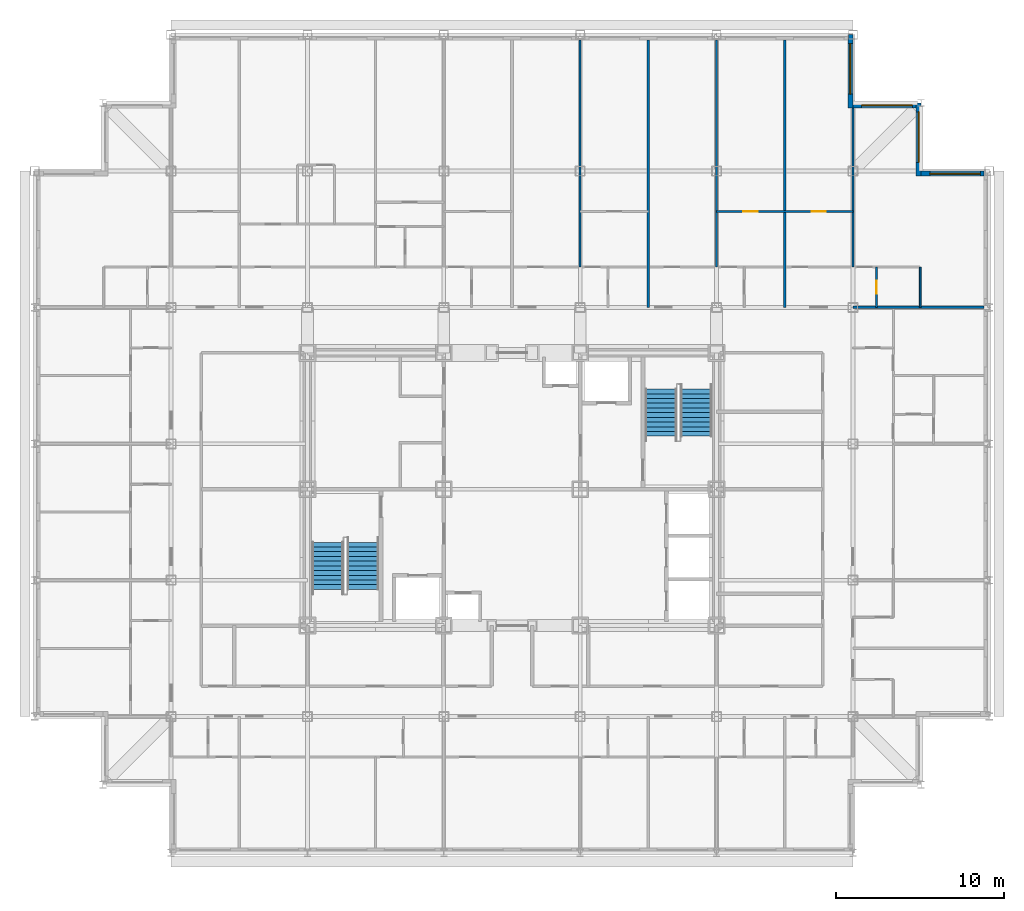
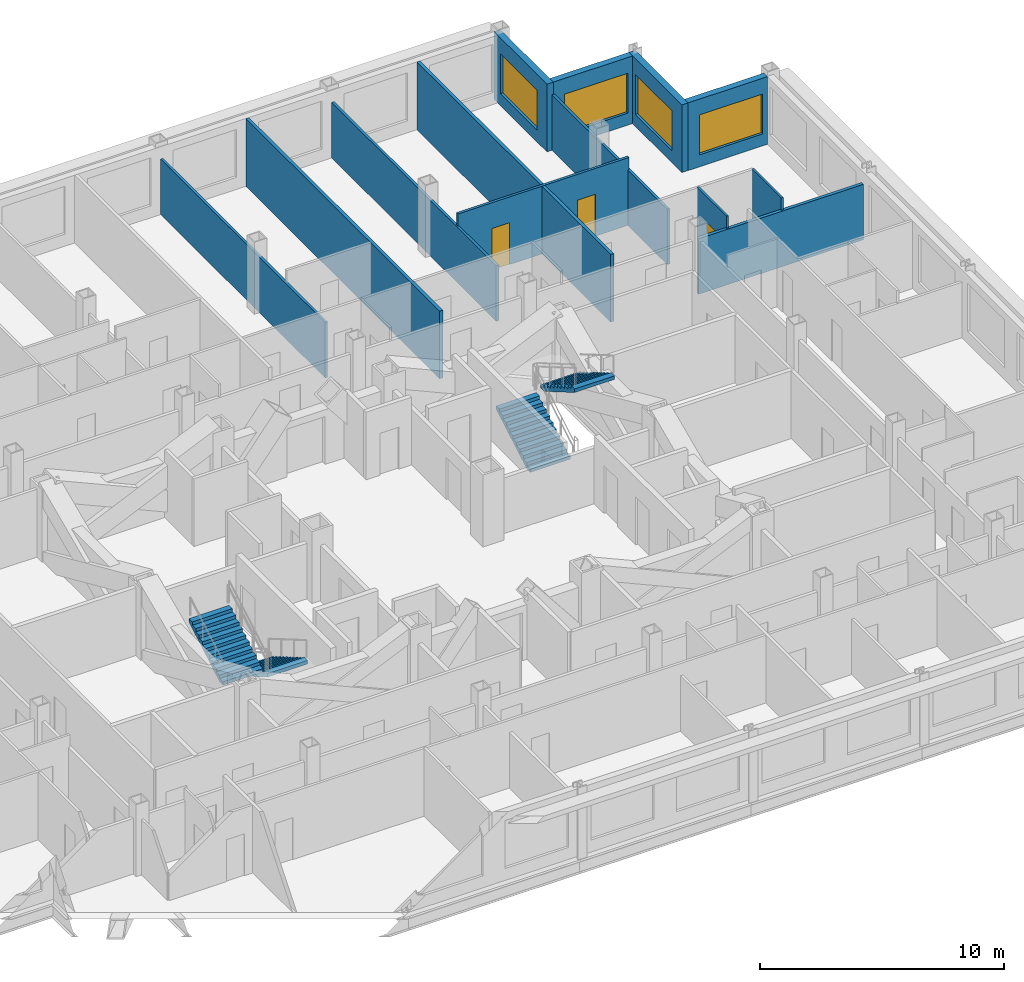
# One storey, part 11 of 12: 13 walls, 4 stair flights, 4 windows, 3 doors, 7 openings, 2 elements without a shape of their own.
"""IFC4 building model written with IfcOpenShell, lengths in metres."""

from ifc_helpers import new_model, si_unit, direction, frame, frame_2d, origin, place, context, subcontext, project, spatial, rectangle, extrude, polygons, source, transform, mapped, material, layer, layer_set, type_object, element, fill, aggregate, save


model = new_model("IFC4")

# Units and contexts
model_context = context("Model", 3, precision=1e-05, world=origin(), true_north=direction((0.0, 1.0)))
body_context = subcontext(model_context, "Body", "Model", "MODEL_VIEW")
ifc_project = project(units=[si_unit("LENGTHUNIT", "METRE"), si_unit("AREAUNIT", "SQUARE_METRE"), si_unit("VOLUMEUNIT", "CUBIC_METRE"), si_unit("PLANEANGLEUNIT", "RADIAN"), si_unit("MASSUNIT", "GRAM", prefix="KILO")], contexts=[model_context])

# Site, building, storey
site_placement = place(None, origin())
site = spatial("IfcSite", under=ifc_project, at=site_placement, CompositionType="ELEMENT")
building_placement = place(site_placement, origin())
building = spatial("IfcBuilding", under=site, at=building_placement, Name="Kopane Lantern Tower", CompositionType="ELEMENT")
storey_placement = place(building_placement, frame((0.0, 0.0, 199.199951171875)))
storey = spatial("IfcBuildingStorey", under=building, at=storey_placement, Name="L51", CompositionType="ELEMENT", Elevation=199.199951171875)

# Walls
ifc_material_1 = material(Name="Gypsum board on steel studs", Category="steel")
ifc_layer_1 = layer(ifc_material_1, 0.1201171875)
ifc_layer_set_1 = layer_set([ifc_layer_1], Name="APARTMENT INTERNAL WALL 120")
wall_type_1 = type_object("IfcWallType", Name="APARTMENT INTERNAL WALL 120", PredefinedType="PARTITIONING", material=ifc_layer_set_1)
for number, where, z_axis, x_axis, name in (
    (1, (32.39990234375, 45.60009765625, 0.0), (0.0, 0.0, 1.0), (0.0, 1.0, 0.0), "Apartment Internal Wall 120 L51"),
    (2, (40.5, 45.60009765625, 0.0), (0.0, 0.0, 1.0), (0.0, 1.0, 0.0), "Apartment Internal Wall 120 L51"),
):
    element("IfcWall", number, at=place(storey_placement, frame(where, z_axis=z_axis, x_axis=x_axis)), inside=storey, type_object=wall_type_1, Name=name, PredefinedType="PARTITIONING", context=body_context, shape_type="SweptSolid", body=[
        extrude(rectangle(XDim=13.5, YDim=0.1201171875, at=frame_2d((6.75, 0.0))), origin(), (0.0, 0.0, 1.0), 2.77783203125),
    ])
wall_1_placement = place(storey_placement, frame((48.60009765625, 45.60009765625, 0.0), z_axis=(0.0, 0.0, 1.0), x_axis=(0.0, 1.0, 0.0)))
element("IfcWall", 3, at=wall_1_placement, inside=storey, type_object=wall_type_1, Name="Apartment Internal Wall 120 L51", PredefinedType="PARTITIONING", context=body_context, shape_type="SweptSolid", body=[
    extrude(rectangle(XDim=9.449951171875, YDim=0.1201171875, at=frame_2d((4.72509765625, 0.0))), origin(), (0.0, 0.0, 1.0), 2.77783203125),
])

# Wall, openings, doors
wall_2_placement = place(storey_placement, frame((40.5, 48.89990234375, 0.0), z_axis=(0.0, 0.0, 1.0), x_axis=(1.0, 0.0, 0.0)))
wall_2 = element("IfcWall", 4, at=wall_2_placement, inside=storey, type_object=wall_type_1, Name="Apartment Internal Wall 120 L51", PredefinedType="PARTITIONING", context=body_context, shape_type="SweptSolid", body=[
    extrude(rectangle(XDim=8.10009765625, YDim=0.1201171875, at=frame_2d((4.050048828125, 0.0))), origin(), (0.0, 0.0, 1.0), 3.39013671875),
])
opening_1_placement = place(wall_2_placement, frame((1.60009765625, 0.0, 0.0)))
opening_1 = element("IfcOpeningElement", 5, at=opening_1_placement, cuts=wall_2, Name="Opening L51-082", PredefinedType="OPENING", context=body_context, shape_type="SweptSolid", body=[
    extrude(rectangle(XDim=0.85009765625, YDim=2.10009765625, at=frame_2d((0.425048828125, 1.050048828125))), frame((0.0, 0.070068359375, 0.0), z_axis=(0.0, -1.0, 0.0), x_axis=(1.0, 0.0, 0.0)), (0.0, 0.0, 1.0), 0.14013671875),
])
opening_2_placement = place(wall_2_placement, frame((5.64990234375, 0.0, 0.0)))
opening_2 = element("IfcOpeningElement", 6, at=opening_2_placement, cuts=wall_2, Name="Opening L51-083", PredefinedType="OPENING", context=body_context, shape_type="SweptSolid", body=[
    extrude(rectangle(XDim=0.85009765625, YDim=2.10009765625, at=frame_2d((0.425048828125, 1.050048828125))), frame((0.0, 0.070068359375, 0.0), z_axis=(0.0, -1.0, 0.0), x_axis=(1.0, 0.0, 0.0)), (0.0, 0.0, 1.0), 0.14013671875),
])
ifc_material_2 = material(Name="Timber door set", Category="wood")
door_type_1 = type_object("IfcDoorType", Name="DOOR D4 850x2100", OperationType="SINGLE_SWING_LEFT", PredefinedType="DOOR", material=ifc_material_2)
door_1_placement = place(opening_1_placement, origin())
door_1 = element("IfcDoor", 7, at=door_1_placement, inside=storey, type_object=door_type_1, Name="Door L51-082", OperationType="SINGLE_SWING_RIGHT", OverallHeight=2.10009765625, OverallWidth=0.85009765625, PredefinedType="DOOR", context=body_context, shape_type="SweptSolid", body=[
    extrude(rectangle(XDim=0.85009765625, YDim=2.10009765625, at=frame_2d((0.425048828125, 1.050048828125))), frame((0.0, 0.02490234375, 0.0), z_axis=(0.0, -1.0, 0.0), x_axis=(1.0, 0.0, 0.0)), (0.0, 0.0, 1.0), 0.050048828125),
])
fill(opening_1, door_1)
door_2_placement = place(opening_2_placement, origin())
door_2 = element("IfcDoor", 8, at=door_2_placement, inside=storey, type_object=door_type_1, Name="Door L51-083", OperationType="SINGLE_SWING_LEFT", OverallHeight=2.10009765625, OverallWidth=0.85009765625, PredefinedType="DOOR", context=body_context, shape_type="SweptSolid", body=[
    extrude(rectangle(XDim=0.85009765625, YDim=2.10009765625, at=frame_2d((0.425048828125, 1.050048828125))), frame((0.0, 0.02490234375, 0.0), z_axis=(0.0, -1.0, 0.0), x_axis=(1.0, 0.0, 0.0)), (0.0, 0.0, 1.0), 0.050048828125),
])
fill(opening_2, door_2)

# Wall, opening, door
ifc_material_3 = material(Name="Moisture-resistant board on steel studs", Category="steel")
ifc_layer_2 = layer(ifc_material_3, 0.10009765625)
ifc_layer_set_2 = layer_set([ifc_layer_2], Name="BATHROOM WALL 100")
wall_type_2 = type_object("IfcWallType", Name="BATHROOM WALL 100", PredefinedType="PARTITIONING", material=ifc_layer_set_2)
wall_3_placement = place(storey_placement, frame((50.0, 43.199951171875, 0.0), z_axis=(0.0, 0.0, 1.0), x_axis=(0.0, 1.0, 0.0)))
wall_3 = element("IfcWall", 9, at=wall_3_placement, inside=storey, type_object=wall_type_2, Name="Bathroom Wall 100 L51", PredefinedType="PARTITIONING", context=body_context, shape_type="SweptSolid", body=[
    extrude(rectangle(XDim=2.400146484375, YDim=0.10009765625, at=frame_2d((1.2001953125, 0.0))), origin(), (0.0, 0.0, 1.0), 3.39013671875),
])
opening_3_placement = place(wall_3_placement, frame((0.800048828125, 0.0, 0.0)))
opening_3 = element("IfcOpeningElement", 10, at=opening_3_placement, cuts=wall_3, Name="Opening L51-070", PredefinedType="OPENING", context=body_context, shape_type="SweptSolid", body=[
    extrude(rectangle(XDim=0.800048828125, YDim=2.10009765625, at=frame_2d((0.39990234375, 1.050048828125))), frame((0.0, 0.06005859375, 0.0), z_axis=(0.0, -1.0, 0.0), x_axis=(1.0, 0.0, 0.0)), (0.0, 0.0, 1.0), 0.1201171875),
])
ifc_material_4 = material(Name="Timber door set", Category="wood")
door_type_2 = type_object("IfcDoorType", Name="DOOR D2 800x2100", OperationType="SINGLE_SWING_LEFT", PredefinedType="DOOR", material=ifc_material_4)
door_3_placement = place(opening_3_placement, origin())
door_3 = element("IfcDoor", 11, at=door_3_placement, inside=storey, type_object=door_type_2, Name="Door L51-070", OperationType="SINGLE_SWING_RIGHT", OverallHeight=2.10009765625, OverallWidth=0.800048828125, PredefinedType="DOOR", context=body_context, shape_type="SweptSolid", body=[
    extrude(rectangle(XDim=0.800048828125, YDim=2.10009765625, at=frame_2d((0.39990234375, 1.050048828125))), frame((0.0, 0.02490234375, 0.0), z_axis=(0.0, -1.0, 0.0), x_axis=(1.0, 0.0, 0.0)), (0.0, 0.0, 1.0), 0.050048828125),
])
fill(opening_3, door_3)

# Walls
wall_4_placement = place(storey_placement, frame((52.60009765625, 43.199951171875, 0.0), z_axis=(0.0, 0.0, 1.0), x_axis=(0.0, 1.0, 0.0)))
element("IfcWall", 12, at=wall_4_placement, inside=storey, type_object=wall_type_2, Name="Bathroom Wall 100 L51", PredefinedType="PARTITIONING", context=body_context, shape_type="SweptSolid", body=[
    extrude(rectangle(XDim=2.400146484375, YDim=0.10009765625, at=frame_2d((1.2001953125, 0.0))), origin(), (0.0, 0.0, 1.0), 3.39013671875),
])
ifc_material_5 = material(Name="Gypsum board on steel studs", Category="steel")
ifc_layer_3 = layer(ifc_material_5, 0.14990234375)
ifc_layer_set_3 = layer_set([ifc_layer_3], Name="DEMISING WALL 150 EI 60")
wall_type_3 = type_object("IfcWallType", Name="DEMISING WALL 150 EI 60", PredefinedType="PARTITIONING", material=ifc_layer_set_3)
wall_5_placement = place(storey_placement, frame((36.449951171875, 43.199951171875, 0.0), z_axis=(0.0, 0.0, 1.0), x_axis=(0.0, 1.0, 0.0)))
element("IfcWall", 13, at=wall_5_placement, inside=storey, type_object=wall_type_3, Name="Demising Wall 150 Ei 60 L51", PredefinedType="PARTITIONING", context=body_context, shape_type="SweptSolid", body=[
    extrude(rectangle(XDim=15.900146484375, YDim=0.14990234375, at=frame_2d((7.9501953125, 0.0))), origin(), (0.0, 0.0, 1.0), 3.39013671875),
])
wall_6_placement = place(storey_placement, frame((48.60009765625, 43.199951171875, 0.0), z_axis=(0.0, 0.0, 1.0), x_axis=(1.0, 0.0, 0.0)))
element("IfcWall", 14, at=wall_6_placement, inside=storey, type_object=wall_type_3, Name="Demising Wall 150 Ei 60 L51", PredefinedType="PARTITIONING", context=body_context, shape_type="SweptSolid", body=[
    extrude(rectangle(XDim=7.7998046875, YDim=0.14990234375, at=frame_2d((3.89990234375, 0.0))), origin(), (0.0, 0.0, 1.0), 2.77783203125),
])
wall_7_placement = place(storey_placement, frame((44.550048828125, 43.199951171875, 0.0), z_axis=(0.0, 0.0, 1.0), x_axis=(0.0, 1.0, 0.0)))
element("IfcWall", 15, at=wall_7_placement, inside=storey, type_object=wall_type_3, Name="Demising Wall 150 Ei 60 L51", PredefinedType="PARTITIONING", context=body_context, shape_type="SweptSolid", body=[
    extrude(rectangle(XDim=15.900146484375, YDim=0.14990234375, at=frame_2d((7.9501953125, 0.0))), origin(), (0.0, 0.0, 1.0), 3.39013671875),
])

# Wall, opening, window
ifc_material_6 = material(Name="Terracotta rainscreen on light steel framing", Category="masonry")
ifc_layer_4 = layer(ifc_material_6, 0.300048828125)
ifc_layer_set_4 = layer_set([ifc_layer_4], Name="EXTERNAL WALL EW1 300 TERRACOTTA")
wall_type_4 = type_object("IfcWallType", Name="EXTERNAL WALL EW1 300 TERRACOTTA", PredefinedType="SOLIDWALL", material=ifc_layer_set_4)
wall_8_placement = place(storey_placement, frame((56.39990234375, 51.14990234375, 0.0), z_axis=(0.0, 0.0, 1.0), x_axis=(-1.0, 0.0, 0.0)))
wall_8 = element("IfcWall", 16, at=wall_8_placement, inside=storey, type_object=wall_type_4, Name="External wall N L51", PredefinedType="SOLIDWALL", context=body_context, shape_type="SweptSolid", body=[
    extrude(rectangle(XDim=3.75, YDim=0.300048828125, at=frame_2d((1.875, 0.0))), origin(), (0.0, 0.0, 1.0), 3.39013671875),
])
opening_4_placement = place(wall_8_placement, frame((0.22509765625, 0.0, 0.60009765625)))
opening_4 = element("IfcOpeningElement", 17, at=opening_4_placement, cuts=wall_8, Name="Opening WR300200", PredefinedType="OPENING", context=body_context, shape_type="SweptSolid", body=[
    extrude(rectangle(XDim=3.0, YDim=2.0, at=frame_2d((1.5, 1.0))), frame((0.0, 0.159912109375, 0.0), z_axis=(0.0, -1.0, 0.0), x_axis=(1.0, 0.0, 0.0)), (0.0, 0.0, 1.0), 0.320068359375),
])
ifc_material_7 = material(Name="Aluminium and clear glass", Category="aluminium")
window_type = type_object("IfcWindowType", Name="RIBBON WINDOW WR300200 3000x2000", PartitioningType="SINGLE_PANEL", PredefinedType="WINDOW", material=ifc_material_7)
window_1_placement = place(opening_4_placement, origin())
window_1 = element("IfcWindow", 18, at=window_1_placement, inside=storey, type_object=window_type, Name="Window N L51", OverallHeight=2.0, OverallWidth=3.0, PartitioningType="SINGLE_PANEL", PredefinedType="WINDOW", context=body_context, shape_type="SweptSolid", body=[
    extrude(rectangle(XDim=3.0, YDim=2.0, at=frame_2d((1.5, 1.0))), frame((0.0, 0.030029296875, 0.0), z_axis=(0.0, -1.0, 0.0), x_axis=(1.0, 0.0, 0.0)), (0.0, 0.0, 1.0), 0.06005859375),
])
fill(opening_4, window_1)

wall_9_placement = place(storey_placement, frame((52.5, 51.0, 0.0), z_axis=(0.0, 0.0, 1.0), x_axis=(0.0, 1.0, 0.0)))
wall_9 = element("IfcWall", 19, at=wall_9_placement, inside=storey, type_object=wall_type_4, Name="External wall E L51", PredefinedType="SOLIDWALL", context=body_context, shape_type="SweptSolid", body=[
    extrude(rectangle(XDim=4.35009765625, YDim=0.300048828125, at=frame_2d((2.175048828125, 0.0))), origin(), (0.0, 0.0, 1.0), 3.39013671875),
])
opening_5_placement = place(wall_9_placement, frame((0.824951171875, 0.0, 0.60009765625)))
opening_5 = element("IfcOpeningElement", 20, at=opening_5_placement, cuts=wall_9, Name="Opening WR300200", PredefinedType="OPENING", context=body_context, shape_type="SweptSolid", body=[
    extrude(rectangle(XDim=3.0, YDim=2.0, at=frame_2d((1.5, 1.0))), frame((0.0, 0.159912109375, 0.0), z_axis=(0.0, -1.0, 0.0), x_axis=(1.0, 0.0, 0.0)), (0.0, 0.0, 1.0), 0.320068359375),
])
window_2_placement = place(opening_5_placement, origin())
window_2 = element("IfcWindow", 21, at=window_2_placement, inside=storey, type_object=window_type, Name="Window E L51", OverallHeight=2.0, OverallWidth=3.0, PartitioningType="SINGLE_PANEL", PredefinedType="WINDOW", context=body_context, shape_type="SweptSolid", body=[
    extrude(rectangle(XDim=3.0, YDim=2.0, at=frame_2d((1.5, 1.0))), frame((0.0, 0.030029296875, 0.0), z_axis=(0.0, -1.0, 0.0), x_axis=(1.0, 0.0, 0.0)), (0.0, 0.0, 1.0), 0.06005859375),
])
fill(opening_5, window_2)

wall_10_placement = place(storey_placement, frame((52.35009765625, 55.199951171875, 0.0), z_axis=(0.0, 0.0, 1.0), x_axis=(-1.0, 0.0, 0.0)))
wall_10 = element("IfcWall", 22, at=wall_10_placement, inside=storey, type_object=wall_type_4, Name="External wall N L51", PredefinedType="SOLIDWALL", context=body_context, shape_type="SweptSolid", body=[
    extrude(rectangle(XDim=3.75, YDim=0.300048828125, at=frame_2d((1.875, 0.0))), origin(), (0.0, 0.0, 1.0), 3.39013671875),
])
opening_6_placement = place(wall_10_placement, frame((0.22509765625, 0.0, 0.60009765625)))
opening_6 = element("IfcOpeningElement", 23, at=opening_6_placement, cuts=wall_10, Name="Opening WR300200", PredefinedType="OPENING", context=body_context, shape_type="SweptSolid", body=[
    extrude(rectangle(XDim=3.0, YDim=2.0, at=frame_2d((1.5, 1.0))), frame((0.0, 0.159912109375, 0.0), z_axis=(0.0, -1.0, 0.0), x_axis=(1.0, 0.0, 0.0)), (0.0, 0.0, 1.0), 0.320068359375),
])
window_3_placement = place(opening_6_placement, origin())
window_3 = element("IfcWindow", 24, at=window_3_placement, inside=storey, type_object=window_type, Name="Window N L51", OverallHeight=2.0, OverallWidth=3.0, PartitioningType="SINGLE_PANEL", PredefinedType="WINDOW", context=body_context, shape_type="SweptSolid", body=[
    extrude(rectangle(XDim=3.0, YDim=2.0, at=frame_2d((1.5, 1.0))), frame((0.0, 0.030029296875, 0.0), z_axis=(0.0, -1.0, 0.0), x_axis=(1.0, 0.0, 0.0)), (0.0, 0.0, 1.0), 0.06005859375),
])
fill(opening_6, window_3)

wall_11_placement = place(storey_placement, frame((48.449951171875, 55.050048828125, 0.0), z_axis=(0.0, 0.0, 1.0), x_axis=(0.0, 1.0, 0.0)))
wall_11 = element("IfcWall", 25, at=wall_11_placement, inside=storey, type_object=wall_type_4, Name="External wall E L51", PredefinedType="SOLIDWALL", context=body_context, shape_type="SweptSolid", body=[
    extrude(rectangle(XDim=4.349853515625, YDim=0.300048828125, at=frame_2d((2.1748046875, 0.0))), origin(), (0.0, 0.0, 1.0), 3.39013671875),
])
opening_7_placement = place(wall_11_placement, frame((0.824951171875, 0.0, 0.60009765625)))
opening_7 = element("IfcOpeningElement", 26, at=opening_7_placement, cuts=wall_11, Name="Opening WR300200", PredefinedType="OPENING", context=body_context, shape_type="SweptSolid", body=[
    extrude(rectangle(XDim=3.0, YDim=2.0, at=frame_2d((1.5, 1.0))), frame((0.0, 0.159912109375, 0.0), z_axis=(0.0, -1.0, 0.0), x_axis=(1.0, 0.0, 0.0)), (0.0, 0.0, 1.0), 0.320068359375),
])
window_4_placement = place(opening_7_placement, origin())
window_4 = element("IfcWindow", 27, at=window_4_placement, inside=storey, type_object=window_type, Name="Window E L51", OverallHeight=2.0, OverallWidth=3.0, PartitioningType="SINGLE_PANEL", PredefinedType="WINDOW", context=body_context, shape_type="SweptSolid", body=[
    extrude(rectangle(XDim=3.0, YDim=2.0, at=frame_2d((1.5, 1.0))), frame((0.0, 0.030029296875, 0.0), z_axis=(0.0, -1.0, 0.0), x_axis=(1.0, 0.0, 0.0)), (0.0, 0.0, 1.0), 0.06005859375),
])
fill(opening_7, window_4)

# Stair, stair flights
ifc_material_8 = material(Name="Steel S355JR", Category="steel")
stair_type = type_object("IfcStairType", Name="EXIT STAIR 1900 HALF TURN", PredefinedType="HALF_TURN_STAIR", material=ifc_material_8)
stair_1_placement = place(storey_placement, origin())
stair_1 = element("IfcStair", 28, at=stair_1_placement, inside=storey, type_object=stair_type, Name="Exit stair ST1 L51", PredefinedType="HALF_TURN_STAIR")
ifc_material_9 = material(Name="Steel S355JR", Category="steel")
stair_flight_type = type_object("IfcStairFlightType", Name="STAIR FLIGHT 1900 STEEL", PredefinedType="STRAIGHT", material=ifc_material_9)
shared_shape = source(origin(), body_context, "Body", "Tessellation", [
    polygons([(2.800048828, 0.949951172, 1.636474609), (2.520019531, 0.949951172, 1.636474609), (2.520019531, -0.949951172, 1.636474609), (2.800048828, -0.949951172, 1.636474609), (0.297119141, 0.949951172, 0.0), (2.800048828, 0.949951172, 1.462646484), (2.800048828, -0.949951172, 1.462646484), (0.297119141, -0.949951172, 0.0), (0.0, 0.949951172, 0.0), (0.0, -0.949951172, 0.0), (0.280029297, 0.949951172, 0.163574219), (0.0, 0.949951172, 0.163574219), (0.0, -0.949951172, 0.163574219), (0.280029297, -0.949951172, 0.163574219), (0.280029297, 0.949951172, 0.327392578), (0.280029297, -0.949951172, 0.327392578), (0.560058594, 0.949951172, 0.327392578), (0.560058594, -0.949951172, 0.327392578), (0.560058594, 0.949951172, 0.490966797), (0.560058594, -0.949951172, 0.490966797), (0.840087891, 0.949951172, 0.490966797), (0.840087891, -0.949951172, 0.490966797), (0.840087891, 0.949951172, 0.654541016), (0.840087891, -0.949951172, 0.654541016), (1.120117188, 0.949951172, 0.654541016), (1.120117188, -0.949951172, 0.654541016), (1.120117188, 0.949951172, 0.818115234), (1.120117188, -0.949951172, 0.818115234), (1.399902344, 0.949951172, 0.818115234), (1.399902344, -0.949951172, 0.818115234), (1.399902344, 0.949951172, 0.981933594), (1.399902344, -0.949951172, 0.981933594), (1.679931641, 0.949951172, 0.981933594), (1.679931641, -0.949951172, 0.981933594), (1.679931641, 0.949951172, 1.145507812), (1.679931641, -0.949951172, 1.145507812), (1.959960938, 0.949951172, 1.145507812), (1.959960938, -0.949951172, 1.145507812), (1.959960938, 0.949951172, 1.309082031), (1.959960938, -0.949951172, 1.309082031), (2.239990234, 0.949951172, 1.309082031), (2.239990234, -0.949951172, 1.309082031), (2.239990234, 0.949951172, 1.47265625), (2.239990234, -0.949951172, 1.47265625), (2.520019531, 0.949951172, 1.47265625), (2.520019531, -0.949951172, 1.47265625), (0.0, 0.0, 0.004420925), (0.0, 0.0, 0.00884185), (0.0, 0.0, 0.013262774), (0.0, 0.0, 0.017683699), (0.0, 0.0, 0.022104624), (0.0, 0.0, 0.026525549), (0.0, 0.0, 0.030946474), (0.0, 0.0, 0.035367399), (0.0, 0.0, 0.039788323), (0.0, 0.0, 0.044209248), (0.0, 0.0, 0.048630173), (0.0, 0.0, 0.053051098), (0.0, 0.0, 0.057472023), (0.0, 0.0, 0.061892948), (0.0, 0.0, 0.066313872), (0.0, 0.0, 0.070734797), (0.0, 0.0, 0.075155722), (0.0, 0.0, 0.079576647), (0.0, 0.0, 0.083997572), (0.0, 0.0, 0.088418497), (0.0, 0.0, 0.092839421), (0.0, 0.0, 0.097260346), (0.0, 0.0, 0.101681271), (0.0, 0.0, 0.106102196), (0.0, 0.0, 0.110523121), (0.0, 0.0, 0.114944046), (0.0, 0.0, 0.11936497), (0.0, 0.0, 0.123785895), (0.0, 0.0, 0.12820682), (0.0, 0.0, 0.132627745), (0.0, 0.0, 0.13704867), (0.0, 0.0, 0.141469595), (0.0, 0.0, 0.145890519), (0.0, 0.0, 0.150311444), (0.0, 0.0, 0.154732369), (0.0, 0.0, 0.159153294), (2.800048828, 0.0, 1.467344542), (2.800048828, 0.0, 1.472042599), (2.800048828, 0.0, 1.476740657), (2.800048828, 0.0, 1.481438714), (2.800048828, 0.0, 1.486136772), (2.800048828, 0.0, 1.490834829), (2.800048828, 0.0, 1.495532886), (2.800048828, 0.0, 1.500230944), (2.800048828, 0.0, 1.504929001), (2.800048828, 0.0, 1.509627059), (2.800048828, 0.0, 1.514325116), (2.800048828, 0.0, 1.519023174), (2.800048828, 0.0, 1.523721231), (2.800048828, 0.0, 1.528419288), (2.800048828, 0.0, 1.533117346), (2.800048828, 0.0, 1.537815403), (2.800048828, 0.0, 1.542513461), (2.800048828, 0.0, 1.547211518), (2.800048828, 0.0, 1.551909576), (2.800048828, 0.0, 1.556607633), (2.800048828, 0.0, 1.56130569), (2.800048828, 0.0, 1.566003748), (2.800048828, 0.0, 1.570701805), (2.800048828, 0.0, 1.575399863), (2.800048828, 0.0, 1.58009792), (2.800048828, 0.0, 1.584795978), (2.800048828, 0.0, 1.589494035), (2.800048828, 0.0, 1.594192092), (2.800048828, 0.0, 1.59889015), (2.800048828, 0.0, 1.603588207), (2.800048828, 0.0, 1.608286265), (2.800048828, 0.0, 1.612984322), (2.800048828, 0.0, 1.61768238), (2.800048828, 0.0, 1.622380437), (2.800048828, 0.0, 1.627078495), (2.800048828, 0.0, 1.631776552)], [[[1, 2, 3]], [[1, 3, 4]], [[5, 6, 7]], [[5, 7, 8]], [[9, 5, 8]], [[9, 8, 10]], [[11, 12, 13]], [[11, 13, 14]], [[15, 11, 14]], [[15, 14, 16]], [[17, 15, 16]], [[17, 16, 18]], [[19, 17, 18]], [[19, 18, 20]], [[21, 19, 20]], [[21, 20, 22]], [[23, 21, 22]], [[23, 22, 24]], [[25, 23, 24]], [[25, 24, 26]], [[27, 25, 26]], [[27, 26, 28]], [[29, 27, 28]], [[29, 28, 30]], [[31, 29, 30]], [[31, 30, 32]], [[33, 31, 32]], [[33, 32, 34]], [[35, 33, 34]], [[35, 34, 36]], [[37, 35, 36]], [[37, 36, 38]], [[39, 37, 38]], [[39, 38, 40]], [[41, 39, 40]], [[41, 40, 42]], [[43, 41, 42]], [[43, 42, 44]], [[45, 43, 44]], [[45, 44, 46]], [[2, 45, 46]], [[2, 46, 3]], [[45, 1, 6]], [[41, 45, 6]], [[2, 1, 45]], [[37, 41, 6]], [[43, 45, 41]], [[39, 41, 37]], [[35, 37, 33]], [[31, 33, 29]], [[27, 29, 25]], [[5, 21, 25]], [[17, 21, 5]], [[23, 25, 21]], [[11, 17, 5]], [[19, 21, 17]], [[9, 11, 5]], [[15, 17, 11]], [[12, 11, 9]], [[6, 5, 25]], [[6, 25, 29]], [[6, 29, 33]], [[6, 33, 37]], [[7, 4, 46]], [[7, 46, 42]], [[46, 4, 3]], [[7, 42, 38]], [[42, 46, 44]], [[38, 42, 40]], [[34, 38, 36]], [[30, 34, 32]], [[26, 30, 28]], [[26, 22, 8]], [[8, 22, 18]], [[22, 26, 24]], [[8, 18, 14]], [[18, 22, 20]], [[8, 14, 10]], [[14, 18, 16]], [[10, 14, 13]], [[26, 8, 7]], [[30, 26, 7]], [[34, 30, 7]], [[38, 34, 7]], [[10, 47, 9]], [[10, 48, 47]], [[9, 47, 48]], [[10, 49, 48]], [[9, 48, 49]], [[10, 50, 49]], [[9, 49, 50]], [[10, 51, 50]], [[9, 50, 51]], [[10, 52, 51]], [[9, 51, 52]], [[10, 53, 52]], [[9, 52, 53]], [[10, 54, 53]], [[9, 53, 54]], [[10, 55, 54]], [[9, 54, 55]], [[10, 56, 55]], [[9, 55, 56]], [[10, 57, 56]], [[9, 56, 57]], [[10, 58, 57]], [[9, 57, 58]], [[10, 59, 58]], [[9, 58, 59]], [[10, 60, 59]], [[9, 59, 60]], [[10, 61, 60]], [[9, 60, 61]], [[10, 62, 61]], [[9, 61, 62]], [[10, 63, 62]], [[9, 62, 63]], [[10, 64, 63]], [[9, 63, 64]], [[10, 65, 64]], [[9, 64, 65]], [[10, 66, 65]], [[9, 65, 66]], [[10, 67, 66]], [[9, 66, 67]], [[10, 68, 67]], [[9, 67, 68]], [[10, 69, 68]], [[9, 68, 69]], [[10, 70, 69]], [[9, 69, 70]], [[10, 71, 70]], [[9, 70, 71]], [[10, 72, 71]], [[9, 71, 72]], [[10, 73, 72]], [[9, 72, 73]], [[10, 74, 73]], [[9, 73, 74]], [[10, 75, 74]], [[9, 74, 75]], [[10, 76, 75]], [[9, 75, 76]], [[10, 77, 76]], [[9, 76, 77]], [[10, 78, 77]], [[9, 77, 78]], [[10, 79, 78]], [[9, 78, 79]], [[10, 80, 79]], [[9, 79, 80]], [[10, 81, 80]], [[9, 80, 81]], [[10, 82, 81]], [[9, 81, 82]], [[10, 13, 82]], [[82, 13, 12]], [[9, 82, 12]], [[7, 6, 83]], [[7, 83, 84]], [[6, 84, 83]], [[7, 84, 85]], [[6, 85, 84]], [[7, 85, 86]], [[6, 86, 85]], [[7, 86, 87]], [[6, 87, 86]], [[7, 87, 88]], [[6, 88, 87]], [[7, 88, 89]], [[6, 89, 88]], [[7, 89, 90]], [[6, 90, 89]], [[7, 90, 91]], [[6, 91, 90]], [[7, 91, 92]], [[6, 92, 91]], [[7, 92, 93]], [[6, 93, 92]], [[7, 93, 94]], [[6, 94, 93]], [[7, 94, 95]], [[6, 95, 94]], [[7, 95, 96]], [[6, 96, 95]], [[7, 96, 97]], [[6, 97, 96]], [[7, 97, 98]], [[6, 98, 97]], [[7, 98, 99]], [[6, 99, 98]], [[7, 99, 100]], [[6, 100, 99]], [[7, 100, 101]], [[6, 101, 100]], [[7, 101, 102]], [[6, 102, 101]], [[7, 102, 103]], [[6, 103, 102]], [[7, 103, 104]], [[6, 104, 103]], [[7, 104, 105]], [[6, 105, 104]], [[7, 105, 106]], [[6, 106, 105]], [[7, 106, 107]], [[6, 107, 106]], [[7, 107, 108]], [[6, 108, 107]], [[7, 108, 109]], [[6, 109, 108]], [[7, 109, 110]], [[6, 110, 109]], [[7, 110, 111]], [[6, 111, 110]], [[7, 111, 112]], [[6, 112, 111]], [[7, 112, 113]], [[6, 113, 112]], [[7, 113, 114]], [[6, 114, 113]], [[7, 114, 115]], [[6, 115, 114]], [[7, 115, 116]], [[6, 116, 115]], [[7, 116, 117]], [[6, 117, 116]], [[7, 117, 118]], [[6, 118, 117]], [[7, 118, 4]], [[118, 1, 4]], [[6, 1, 118]]], closed=True),
])
stair_flight_1_placement = place(storey_placement, frame((19.5, 29.25, 0.0), z_axis=(0.0, 0.0, 1.0), x_axis=(0.0, -1.0, 0.0)))
stair_flight_1 = element("IfcStairFlight", 29, at=stair_flight_1_placement, type_object=stair_flight_type, Name="ST1 flight 1", NumberOfRisers=11, NumberOfTreads=10, PredefinedType="STRAIGHT", RiserHeight=0.163636364, TreadLength=0.28, context=body_context, shape_type="MappedRepresentation", body=[
    mapped(shared_shape, transform((0.0, 0.0, 0.0))),
])
stair_flight_2_placement = place(storey_placement, frame((17.39990234375, 26.449951171875, 1.800048828125), z_axis=(0.0, 0.0, 1.0), x_axis=(0.0, 1.0, 0.0)))
stair_flight_2 = element("IfcStairFlight", 30, at=stair_flight_2_placement, type_object=stair_flight_type, Name="ST1 flight 2", NumberOfRisers=11, NumberOfTreads=10, PredefinedType="STRAIGHT", RiserHeight=0.163636364, TreadLength=0.28, context=body_context, shape_type="MappedRepresentation", body=[
    mapped(shared_shape, transform((0.0, 0.0, 0.0))),
])
aggregate(stair_1, [stair_flight_1, stair_flight_2])

stair_2_placement = place(storey_placement, origin())
stair_2 = element("IfcStair", 31, at=stair_2_placement, inside=storey, type_object=stair_type, Name="Exit stair ST2 L51", PredefinedType="HALF_TURN_STAIR")
stair_flight_3_placement = place(storey_placement, frame((37.199951171875, 35.550048828125, 0.0), z_axis=(0.0, 0.0, 1.0), x_axis=(0.0, 1.0, 0.0)))
stair_flight_3 = element("IfcStairFlight", 32, at=stair_flight_3_placement, type_object=stair_flight_type, Name="ST2 flight 1", NumberOfRisers=11, NumberOfTreads=10, PredefinedType="STRAIGHT", RiserHeight=0.163636364, TreadLength=0.28, context=body_context, shape_type="MappedRepresentation", body=[
    mapped(shared_shape, transform((0.0, 0.0, 0.0))),
])
stair_flight_4_placement = place(storey_placement, frame((39.300048828125, 38.35009765625, 1.800048828125), z_axis=(0.0, 0.0, 1.0), x_axis=(0.0, -1.0, 0.0)))
stair_flight_4 = element("IfcStairFlight", 33, at=stair_flight_4_placement, type_object=stair_flight_type, Name="ST2 flight 2", NumberOfRisers=11, NumberOfTreads=10, PredefinedType="STRAIGHT", RiserHeight=0.163636364, TreadLength=0.28, context=body_context, shape_type="MappedRepresentation", body=[
    mapped(shared_shape, transform((0.0, 0.0, 0.0))),
])
aggregate(stair_2, [stair_flight_3, stair_flight_4])

save(model, "model.ifc")
